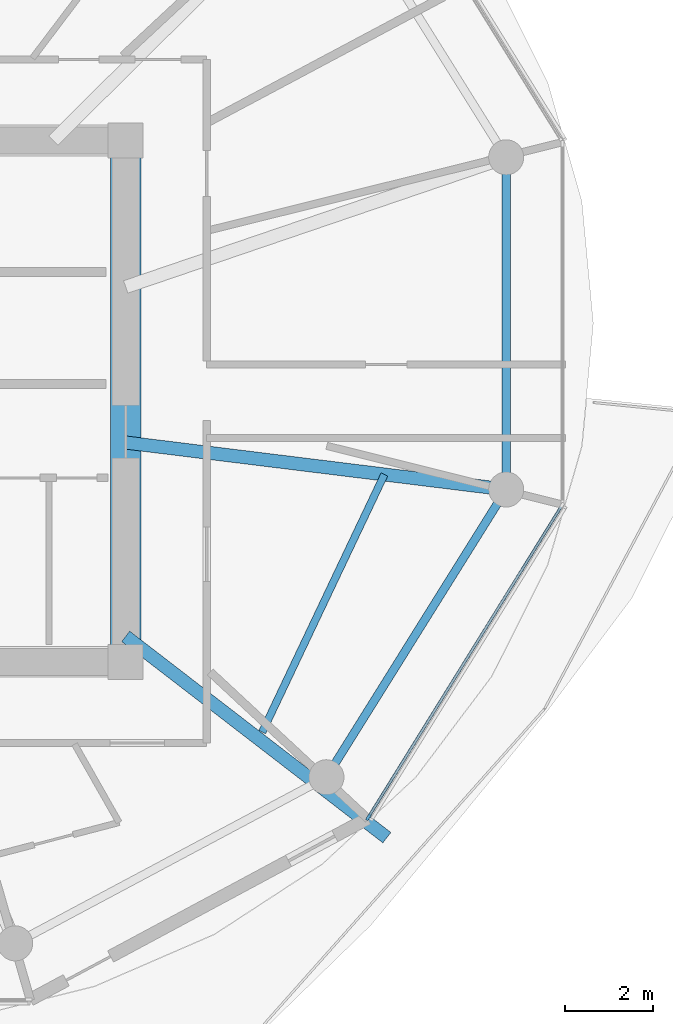
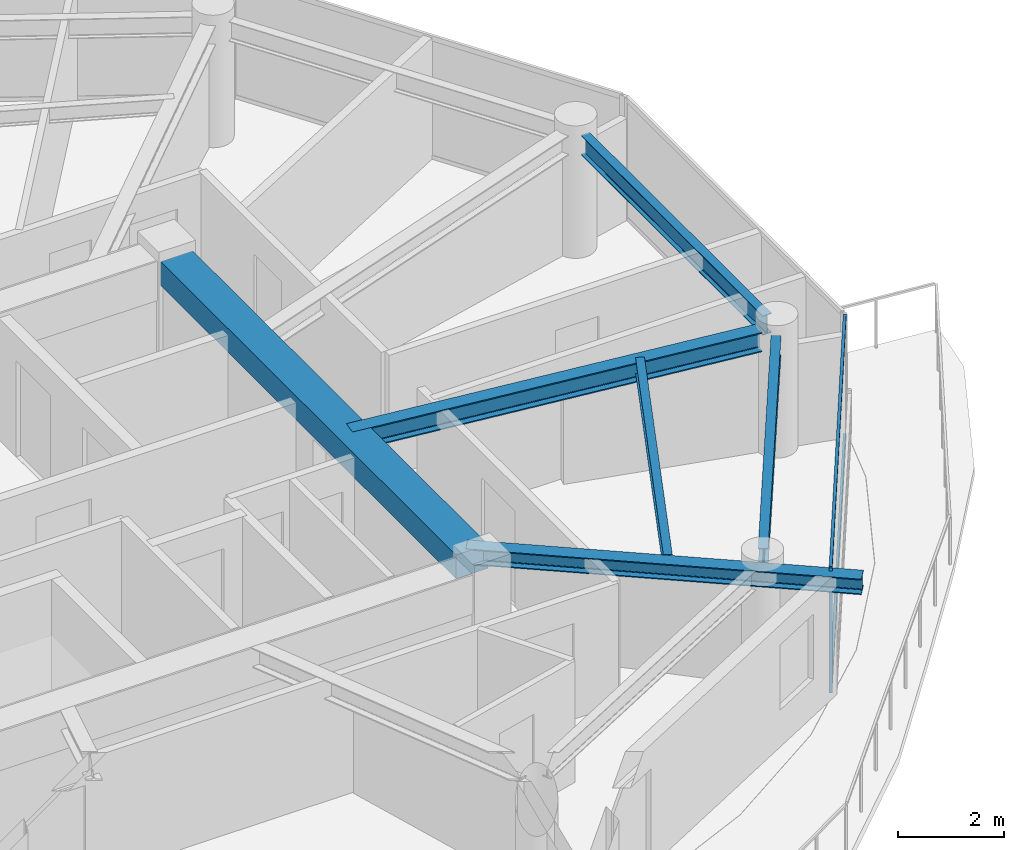
# One storey, part 3 of 22: 6 beams, 3 members, 1 element without a shape of its own.
"""IFC4 building model written with IfcOpenShell, lengths in metres."""

from ifc_helpers import new_model, si_unit, direction, frame, origin, origin_2d, place, context, subcontext, project, spatial, rectangle, i_section, extrude, source, transform, mapped, material, layer, layer_set, material_profile, profile_set, type_object, type_shapes, element, aggregate, save


model = new_model("IFC4")

# Units and contexts
model_context = context("Model", 3, precision=1e-05, world=origin(), true_north=direction((0.0, 1.0)))
body_context = subcontext(model_context, "Body", "Model", "MODEL_VIEW")
ifc_project = project(units=[si_unit("LENGTHUNIT", "METRE"), si_unit("AREAUNIT", "SQUARE_METRE"), si_unit("VOLUMEUNIT", "CUBIC_METRE"), si_unit("PLANEANGLEUNIT", "RADIAN"), si_unit("MASSUNIT", "GRAM", prefix="KILO")], contexts=[model_context])

# Site, building, storey
site_placement = place(None, origin())
site = spatial("IfcSite", under=ifc_project, at=site_placement, CompositionType="ELEMENT")
building_placement = place(site_placement, origin())
building = spatial("IfcBuilding", under=site, at=building_placement, Name="Norrkilde Senior Care Towers", CompositionType="ELEMENT")
storey_placement = place(building_placement, frame((0.0, 0.0, 180.050048828125)))
storey = spatial("IfcBuildingStorey", under=building, at=storey_placement, Name="L56", CompositionType="ELEMENT", Elevation=180.050048828125)

# Beams
ifc_material_1 = material(Name="Concrete C60/75", Category="concrete")
ifc_material_profile_1 = material_profile(ifc_material_1, rectangle(XDim=0.699951171875, YDim=0.550048828125, at=origin_2d()), Name="RC BM 700x550")
ifc_profile_set_1 = profile_set([ifc_material_profile_1], Name="Concrete C60/75")
beam_type_1 = type_object("IfcBeamType", Name="Core Portal Coupling Beam 700x550", PredefinedType="USERDEFINED", material=ifc_profile_set_1)
shared_shape_1 = source(origin(), body_context, "Body", "SweptSolid", [
    extrude(rectangle(XDim=0.699951171875, YDim=0.550048828125, at=origin_2d()), origin(), (0.0, 0.0, 1.0), 11.14013671875),
])
type_shapes(beam_type_1, [shared_shape_1])
beam_1_placement = place(storey_placement, frame((-20.35009765625, -5.570068359375, 2.534912109375), z_axis=(0.0, 1.0, 0.0), x_axis=(-1.0, 0.0, 0.0)))
element("IfcBeam", 1, at=beam_1_placement, inside=storey, type_object=beam_type_1, Name="L56 Core W E Coupling Girder", ObjectType="GIRDER", PredefinedType="USERDEFINED", context=body_context, shape_type="MappedRepresentation", body=[
    mapped(shared_shape_1, transform((0.0, 0.0, 0.0), x_axis=(1.0, 0.0, 0.0), y_axis=(0.0, 1.0, 0.0), z_axis=(0.0, 0.0, 1.0), scale=1.0)),
])
ifc_material_2 = material(Name="Steel S355", Category="steel")
ifc_material_profile_2 = material_profile(ifc_material_2, i_section(OverallWidth=0.18994140625, OverallDepth=0.449951171875, WebThickness=0.009521484375, FlangeThickness=0.0146484375, FilletRadius=0.02099609375, at=origin_2d()), Name="IPE 450")
ifc_profile_set_2 = profile_set([ifc_material_profile_2], Name="Steel S355")
beam_type_2 = type_object("IfcBeamType", Name="Perimeter Ring Spandrel Z3 IPE450", PredefinedType="SPANDREL", material=ifc_profile_set_2)
shared_shape_2 = source(origin(), body_context, "Body", "SweptSolid", [
    extrude(i_section(OverallWidth=0.18994140625, OverallDepth=0.449951171875, WebThickness=0.009521484375, FlangeThickness=0.0146484375, FilletRadius=0.02099609375, at=origin_2d()), origin(), (0.0, 0.0, 1.0), 6.86328125),
])
beam_2_placement = place(storey_placement, frame((-11.6650390625, -1.65625, 2.5849609375), z_axis=(0.0, 1.0, 0.0), x_axis=(-1.0, 0.0, 0.0)))
element("IfcBeam", 2, at=beam_2_placement, inside=storey, type_object=beam_type_2, Name="L56 Drum W Perimeter Spandrel 12", PredefinedType="SPANDREL", context=body_context, shape_type="MappedRepresentation", body=[
    mapped(shared_shape_2, transform((0.0, 0.0, 0.0), x_axis=(1.0, 0.0, 0.0), y_axis=(0.0, 1.0, 0.0), z_axis=(0.0, 0.0, 1.0), scale=1.0)),
])
shared_shape_3 = source(origin(), body_context, "Body", "SweptSolid", [
    extrude(i_section(OverallWidth=0.18994140625, OverallDepth=0.449951171875, WebThickness=0.009521484375, FlangeThickness=0.0146484375, FilletRadius=0.02099609375, at=origin_2d()), origin(), (0.0, 0.0, 1.0), 7.023193359375),
])
type_shapes(beam_type_2, [shared_shape_2, shared_shape_3])
beam_3_placement = place(storey_placement, frame((-15.57666015625, -8.2783203125, 2.5849609375), z_axis=(0.529805197269, 0.848119362441, 0.0), x_axis=(-0.848119362441, 0.529805197269, 0.0)))
element("IfcBeam", 3, at=beam_3_placement, inside=storey, type_object=beam_type_2, Name="L56 Drum W Perimeter Spandrel 11", PredefinedType="SPANDREL", context=body_context, shape_type="MappedRepresentation", body=[
    mapped(shared_shape_3, transform((0.0, 0.0, 0.0), x_axis=(1.0, 0.0, 0.0), y_axis=(0.0, 1.0, 0.0), z_axis=(0.0, 0.0, 1.0), scale=1.0)),
])
ifc_material_profile_3 = material_profile(ifc_material_2, i_section(OverallWidth=0.300048828125, OverallDepth=0.449951171875, WebThickness=0.013916015625, FlangeThickness=0.02587890625, FilletRadius=0.027099609375, at=origin_2d()), Name="HEB 450")
ifc_profile_set_3 = profile_set([ifc_material_profile_3], Name="Steel S355")
beam_type_3 = type_object("IfcBeamType", Name="Radial Floor Beam Z3 HEB450", PredefinedType="BEAM", material=ifc_profile_set_3)
shared_shape_4 = source(origin(), body_context, "Body", "SweptSolid", [
    extrude(i_section(OverallWidth=0.300048828125, OverallDepth=0.449951171875, WebThickness=0.013916015625, FlangeThickness=0.02587890625, FilletRadius=0.027099609375, at=origin_2d()), origin(), (0.0, 0.0, 1.0), 8.390869140625),
])
type_shapes(beam_type_3, [shared_shape_4])
beam_4_placement = place(storey_placement, frame((-20.35009765625, -0.9443359375, 2.5849609375), z_axis=(0.99246916403, -0.122494728249, 0.0), x_axis=(0.122494728249, 0.99246916403, 0.0)))
element("IfcBeam", 4, at=beam_4_placement, inside=storey, type_object=beam_type_3, Name="L56 Drum W Radial Floor Beam 12", PredefinedType="BEAM", context=body_context, shape_type="MappedRepresentation", body=[
    mapped(shared_shape_4, transform((0.0, 0.0, 0.0), x_axis=(1.0, 0.0, 0.0), y_axis=(0.0, 1.0, 0.0), z_axis=(0.0, 0.0, 1.0), scale=1.0)),
])
ifc_material_profile_4 = material_profile(ifc_material_2, i_section(OverallWidth=0.169921875, OverallDepth=0.360107421875, WebThickness=0.008056640625, FlangeThickness=0.0126953125, FilletRadius=0.01806640625, at=origin_2d()), Name="IPE 360")
ifc_profile_set_4 = profile_set([ifc_material_profile_4], Name="Steel S355")
beam_type_4 = type_object("IfcBeamType", Name="Secondary Floor Joist IPE360", PredefinedType="JOIST", material=ifc_profile_set_4)
shared_shape_5 = source(origin(), body_context, "Body", "SweptSolid", [
    extrude(i_section(OverallWidth=0.169921875, OverallDepth=0.360107421875, WebThickness=0.008056640625, FlangeThickness=0.0126953125, FilletRadius=0.01806640625, at=origin_2d()), origin(), (0.0, 0.0, 1.0), 6.50927734375),
])
type_shapes(beam_type_4, [shared_shape_5])
beam_5_placement = place(storey_placement, frame((-17.23388671875, -7.5546875, 2.6298828125), z_axis=(0.428544169129, 0.90352083269, 0.0), x_axis=(-0.90352083269, 0.428544169129, 0.0)))
element("IfcBeam", 5, at=beam_5_placement, inside=storey, type_object=beam_type_4, Name="L56 Drum W Secondary Floor Joist 4", PredefinedType="JOIST", context=body_context, shape_type="MappedRepresentation", body=[
    mapped(shared_shape_5, transform((0.0, 0.0, 0.0), x_axis=(1.0, 0.0, 0.0), y_axis=(0.0, 1.0, 0.0), z_axis=(0.0, 0.0, 1.0), scale=1.0)),
])
ifc_material_profile_5 = material_profile(ifc_material_2, i_section(OverallWidth=0.300048828125, OverallDepth=0.360107421875, WebThickness=0.012451171875, FlangeThickness=0.0224609375, FilletRadius=0.027099609375, at=origin_2d()), Name="HEB 360")
ifc_profile_set_5 = profile_set([ifc_material_profile_5], Name="Steel S355")
beam_type_5 = type_object("IfcBeamType", Name="Balcony Crest Cantilever Rib HEB360", PredefinedType="BEAM", material=ifc_profile_set_5)
shared_shape_6 = source(origin(), body_context, "Body", "SweptSolid", [
    extrude(i_section(OverallWidth=0.300048828125, OverallDepth=0.360107421875, WebThickness=0.012451171875, FlangeThickness=0.0224609375, FilletRadius=0.027099609375, at=origin_2d()), origin(), (0.0, 0.0, 1.0), 7.526611328125),
])
type_shapes(beam_type_5, [shared_shape_6])
beam_6_placement = place(storey_placement, frame((-20.35009765625, -5.3681640625, 2.6298828125), z_axis=(0.792072602641, -0.610426893366, 0.0), x_axis=(0.610426893366, 0.792072602641, 0.0)))
element("IfcBeam", 6, at=beam_6_placement, inside=storey, type_object=beam_type_5, Name="L56 Drum W Balcony Cantilever Rib", PredefinedType="BEAM", context=body_context, shape_type="MappedRepresentation", body=[
    mapped(shared_shape_6, transform((0.0, 0.0, 0.0), x_axis=(1.0, 0.0, 0.0), y_axis=(0.0, 1.0, 0.0), z_axis=(0.0, 0.0, 1.0), scale=1.0)),
])

# Curtain wall, members
ifc_material_3 = material(Name="Triple Low-E Insulated Glazing", Category="glass")
ifc_layer = layer(ifc_material_3, 0.18994140625)
ifc_layer_set = layer_set([ifc_layer], Name="Triple Low-E Insulated Glazing")
curtain_wall_type = type_object("IfcCurtainWallType", Name="CW4 Zone 3 Senior Residence Curtain Wall", PredefinedType="NOTDEFINED", material=ifc_layer_set)
curtain_wall_placement = place(storey_placement, origin())
curtain_wall = element("IfcCurtainWall", 7, at=curtain_wall_placement, inside=storey, type_object=curtain_wall_type, Name="L56 Drum W Curtain Wall 10", PredefinedType="NOTDEFINED")
ifc_material_4 = material(Name="Anodised Aluminium", Category="aluminium")
ifc_material_profile_6 = material_profile(ifc_material_4, rectangle(XDim=0.06494140625, YDim=0.14990234375, at=origin_2d()), Name="ALU MULL 65x150")
ifc_profile_set_6 = profile_set([ifc_material_profile_6], Name="Anodised Aluminium")
member_type_1 = type_object("IfcMemberType", Name="Curtain Wall Mullion Z3-Z4 65x150", PredefinedType="MULLION", material=ifc_profile_set_6)
shared_shape_7 = source(origin(), body_context, "Body", "SweptSolid", [
    extrude(rectangle(XDim=0.06494140625, YDim=0.14990234375, at=origin_2d()), origin(), (0.0, 0.0, 1.0), 2.81005859375),
])
type_shapes(member_type_1, [shared_shape_7])
member_1_placement = place(storey_placement, frame((-14.809814453125, -9.49658203125, 0.0), z_axis=(0.0, 0.0, 1.0), x_axis=(0.84963405474, -0.52737270789, 0.0)))
member_1 = element("IfcMember", 8, at=member_1_placement, type_object=member_type_1, Name="CW-4 mullion 2", PredefinedType="MULLION", context=body_context, shape_type="MappedRepresentation", body=[
    mapped(shared_shape_7, transform((0.0, 0.0, 0.0), x_axis=(1.0, 0.0, 0.0), y_axis=(0.0, 1.0, 0.0), z_axis=(0.0, 0.0, 1.0), scale=1.0)),
])
ifc_material_profile_7 = material_profile(ifc_material_4, rectangle(XDim=0.06005859375, YDim=0.1201171875, at=origin_2d()), Name="ALU TRAN 60x120")
ifc_profile_set_7 = profile_set([ifc_material_profile_7], Name="Anodised Aluminium")
member_type_2 = type_object("IfcMemberType", Name="Curtain Wall Transom Typical 60x120", PredefinedType="USERDEFINED", material=ifc_profile_set_7)
shared_shape_8 = source(origin(), body_context, "Body", "SweptSolid", [
    extrude(rectangle(XDim=0.06005859375, YDim=0.1201171875, at=origin_2d()), origin(), (0.0, 0.0, 1.0), 8.301513671875),
])
type_shapes(member_type_2, [shared_shape_8])
member_2_placement = place(storey_placement, frame((-10.414794921875, -2.415771484375, 0.030029296875), z_axis=(-0.527368718394, -0.849636531029, 0.0), x_axis=(0.849636531029, -0.527368718394, 0.0)))
member_2 = element("IfcMember", 9, at=member_2_placement, type_object=member_type_2, Name="CW-4 transom 1.1", ObjectType="TRANSOM", PredefinedType="USERDEFINED", context=body_context, shape_type="MappedRepresentation", body=[
    mapped(shared_shape_8, transform((0.0, 0.0, 0.0), x_axis=(1.0, 0.0, 0.0), y_axis=(0.0, 1.0, 0.0), z_axis=(0.0, 0.0, 1.0), scale=1.0)),
])
member_3_placement = place(storey_placement, frame((-10.414794921875, -2.415771484375, 2.780029296875), z_axis=(-0.527368718394, -0.849636531029, 0.0), x_axis=(0.849636531029, -0.527368718394, 0.0)))
member_3 = element("IfcMember", 10, at=member_3_placement, type_object=member_type_2, Name="CW-4 transom 1.2", ObjectType="TRANSOM", PredefinedType="USERDEFINED", context=body_context, shape_type="MappedRepresentation", body=[
    mapped(shared_shape_8, transform((0.0, 0.0, 0.0), x_axis=(1.0, 0.0, 0.0), y_axis=(0.0, 1.0, 0.0), z_axis=(0.0, 0.0, 1.0), scale=1.0)),
])
aggregate(curtain_wall, [member_1, member_2, member_3])

save(model, "model.ifc")
